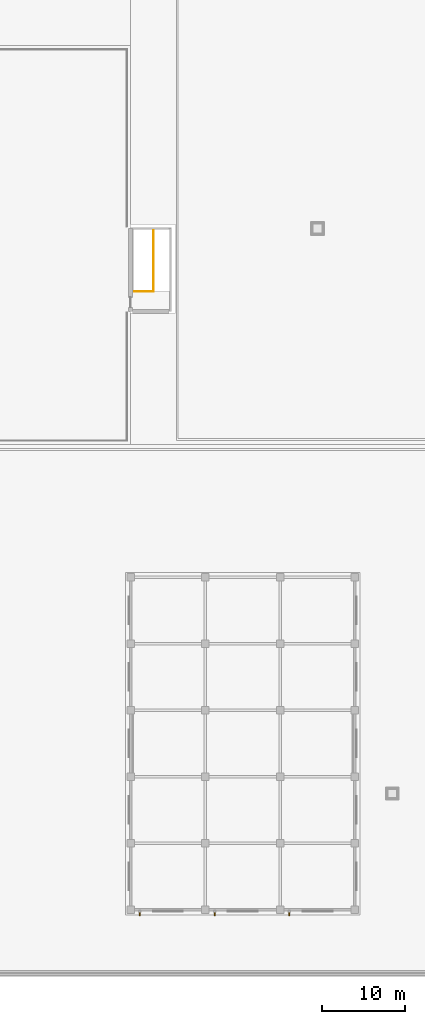
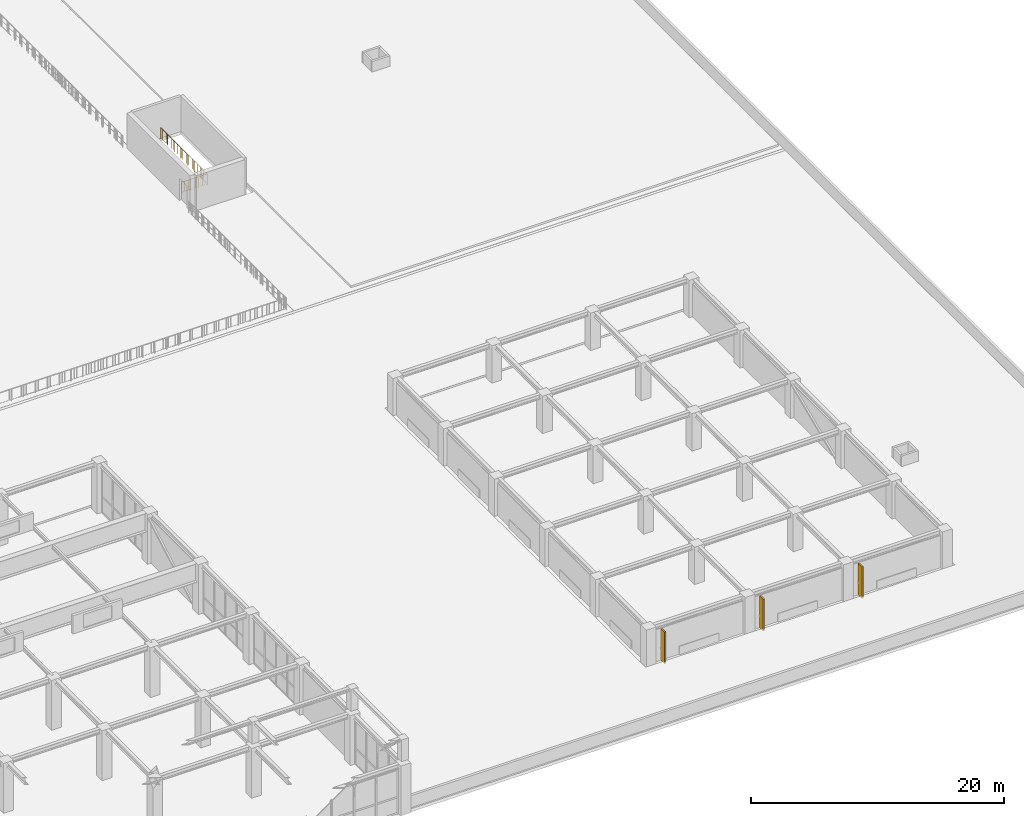
# One storey, part 33 of 34: 3 shading devices, 1 railing.
"""IFC4 building model written with IfcOpenShell, lengths in metres."""

from ifc_helpers import new_model, si_unit, direction, frame, frame_2d, origin, origin_2d, place, context, subcontext, project, spatial, rectangle, circle, extrude, material, layer, layer_set, type_object, element, save


model = new_model("IFC4")

# Units and contexts
model_context = context("Model", 3, precision=1e-05, world=origin(), true_north=direction((0.0, 1.0)))
body_context = subcontext(model_context, "Body", "Model", "MODEL_VIEW")
ifc_project = project(units=[si_unit("LENGTHUNIT", "METRE"), si_unit("AREAUNIT", "SQUARE_METRE"), si_unit("VOLUMEUNIT", "CUBIC_METRE"), si_unit("PLANEANGLEUNIT", "RADIAN"), si_unit("MASSUNIT", "GRAM", prefix="KILO")], contexts=[model_context])

# Site, building, storey
site_placement = place(None, origin())
site = spatial("IfcSite", under=ifc_project, at=site_placement, CompositionType="ELEMENT")
building_placement = place(site_placement, origin())
building = spatial("IfcBuilding", under=site, at=building_placement, Name="Zaverband Oceanarium and Marine Research Institute", CompositionType="ELEMENT")
storey_placement = place(building_placement, frame((0.0, 0.0, 18.0)))
storey = spatial("IfcBuildingStorey", under=building, at=storey_placement, Name="L04", CompositionType="ELEMENT", Elevation=18.0)

# Railing
ifc_material_1 = material(Name="Steel S355", Category="steel")
ifc_layer_1 = layer(ifc_material_1, 0.06005859375, Name="Steel S355")
ifc_layer_set_1 = layer_set([ifc_layer_1], Name="Steel S355")
railing_type = type_object("IfcRailingType", Name="GRD-1100", PredefinedType="BALUSTRADE", material=ifc_layer_set_1)
railing_placement = place(storey_placement, frame((135.429931640625, 82.429931640625, 0.0)))
element("IfcRailing", 1, at=railing_placement, inside=storey, type_object=railing_type, Name="1100 mm steel post-and-baluster safety guard GRD-1100", PredefinedType="BALUSTRADE", context=body_context, shape_type="SweptSolid", body=[
    extrude(circle(Radius=0.02392578125, at=origin_2d()), frame((0.0, 0.0, 1.076171875), z_axis=(1.0, 0.0, 0.0), x_axis=(0.0, 1.0, 0.0)), (0.0, 0.0, 1.0), 2.320068359375),
    extrude(circle(Radius=0.009033203125, at=origin_2d()), frame((0.0, 0.0, 0.10009765625), z_axis=(1.0, 0.0, 0.0), x_axis=(0.0, 1.0, 0.0)), (0.0, 0.0, 1.0), 2.320068359375),
    extrude(circle(Radius=0.009033203125, at=origin_2d()), frame((0.2109375, 0.0, 0.10009765625)), (0.0, 0.0, 1.0), 0.951904296875),
    extrude(circle(Radius=0.009033203125, at=origin_2d()), frame((0.421875, 0.0, 0.10009765625)), (0.0, 0.0, 1.0), 0.951904296875),
    extrude(circle(Radius=0.009033203125, at=origin_2d()), frame((0.6328125, 0.0, 0.10009765625)), (0.0, 0.0, 1.0), 0.951904296875),
    extrude(circle(Radius=0.009033203125, at=origin_2d()), frame((0.84375, 0.0, 0.10009765625)), (0.0, 0.0, 1.0), 0.951904296875),
    extrude(circle(Radius=0.009033203125, at=origin_2d()), frame((1.0546875, 0.0, 0.10009765625)), (0.0, 0.0, 1.0), 0.951904296875),
    extrude(circle(Radius=0.009033203125, at=origin_2d()), frame((1.265380859375, 0.0, 0.10009765625)), (0.0, 0.0, 1.0), 0.951904296875),
    extrude(circle(Radius=0.009033203125, at=origin_2d()), frame((1.476318359375, 0.0, 0.10009765625)), (0.0, 0.0, 1.0), 0.951904296875),
    extrude(circle(Radius=0.009033203125, at=origin_2d()), frame((1.687255859375, 0.0, 0.10009765625)), (0.0, 0.0, 1.0), 0.951904296875),
    extrude(circle(Radius=0.009033203125, at=origin_2d()), frame((1.898193359375, 0.0, 0.10009765625)), (0.0, 0.0, 1.0), 0.951904296875),
    extrude(circle(Radius=0.009033203125, at=origin_2d()), frame((2.109130859375, 0.0, 0.10009765625)), (0.0, 0.0, 1.0), 0.951904296875),
    extrude(circle(Radius=0.02392578125, at=origin_2d()), frame((2.320068359375, 0.0, 1.076171875), z_axis=(0.0, 1.0, 0.0), x_axis=(-1.0, 0.0, 0.0)), (0.0, 0.0, 1.0), 7.340087890625),
    extrude(circle(Radius=0.009033203125, at=origin_2d()), frame((2.320068359375, 0.0, 0.10009765625), z_axis=(0.0, 1.0, 0.0), x_axis=(-1.0, 0.0, 0.0)), (0.0, 0.0, 1.0), 7.340087890625),
    extrude(circle(Radius=0.009033203125, at=origin_2d()), frame((2.320068359375, 0.2158203125, 0.10009765625)), (0.0, 0.0, 1.0), 0.951904296875),
    extrude(circle(Radius=0.009033203125, at=origin_2d()), frame((2.320068359375, 0.431884765625, 0.10009765625)), (0.0, 0.0, 1.0), 0.951904296875),
    extrude(circle(Radius=0.009033203125, at=origin_2d()), frame((2.320068359375, 0.647705078125, 0.10009765625)), (0.0, 0.0, 1.0), 0.951904296875),
    extrude(circle(Radius=0.009033203125, at=origin_2d()), frame((2.320068359375, 0.863525390625, 0.10009765625)), (0.0, 0.0, 1.0), 0.951904296875),
    extrude(circle(Radius=0.009033203125, at=origin_2d()), frame((2.320068359375, 1.079345703125, 0.10009765625)), (0.0, 0.0, 1.0), 0.951904296875),
    extrude(circle(Radius=0.009033203125, at=origin_2d()), frame((2.320068359375, 1.29541015625, 0.10009765625)), (0.0, 0.0, 1.0), 0.951904296875),
    extrude(circle(Radius=0.009033203125, at=origin_2d()), frame((2.320068359375, 1.51123046875, 0.10009765625)), (0.0, 0.0, 1.0), 0.951904296875),
    extrude(circle(Radius=0.009033203125, at=origin_2d()), frame((2.320068359375, 1.72705078125, 0.10009765625)), (0.0, 0.0, 1.0), 0.951904296875),
    extrude(circle(Radius=0.009033203125, at=origin_2d()), frame((2.320068359375, 1.94287109375, 0.10009765625)), (0.0, 0.0, 1.0), 0.951904296875),
    extrude(circle(Radius=0.009033203125, at=origin_2d()), frame((2.320068359375, 2.158935546875, 0.10009765625)), (0.0, 0.0, 1.0), 0.951904296875),
    extrude(circle(Radius=0.009033203125, at=origin_2d()), frame((2.320068359375, 2.374755859375, 0.10009765625)), (0.0, 0.0, 1.0), 0.951904296875),
    extrude(circle(Radius=0.009033203125, at=origin_2d()), frame((2.320068359375, 2.590576171875, 0.10009765625)), (0.0, 0.0, 1.0), 0.951904296875),
    extrude(circle(Radius=0.009033203125, at=origin_2d()), frame((2.320068359375, 2.806396484375, 0.10009765625)), (0.0, 0.0, 1.0), 0.951904296875),
    extrude(circle(Radius=0.009033203125, at=origin_2d()), frame((2.320068359375, 3.0224609375, 0.10009765625)), (0.0, 0.0, 1.0), 0.951904296875),
    extrude(circle(Radius=0.009033203125, at=origin_2d()), frame((2.320068359375, 3.23828125, 0.10009765625)), (0.0, 0.0, 1.0), 0.951904296875),
    extrude(circle(Radius=0.009033203125, at=origin_2d()), frame((2.320068359375, 3.4541015625, 0.10009765625)), (0.0, 0.0, 1.0), 0.951904296875),
    extrude(circle(Radius=0.009033203125, at=origin_2d()), frame((2.320068359375, 3.669921875, 0.10009765625)), (0.0, 0.0, 1.0), 0.951904296875),
    extrude(circle(Radius=0.009033203125, at=origin_2d()), frame((2.320068359375, 3.885986328125, 0.10009765625)), (0.0, 0.0, 1.0), 0.951904296875),
    extrude(circle(Radius=0.009033203125, at=origin_2d()), frame((2.320068359375, 4.101806640625, 0.10009765625)), (0.0, 0.0, 1.0), 0.951904296875),
    extrude(circle(Radius=0.009033203125, at=origin_2d()), frame((2.320068359375, 4.317626953125, 0.10009765625)), (0.0, 0.0, 1.0), 0.951904296875),
    extrude(circle(Radius=0.009033203125, at=origin_2d()), frame((2.320068359375, 4.53369140625, 0.10009765625)), (0.0, 0.0, 1.0), 0.951904296875),
    extrude(circle(Radius=0.009033203125, at=origin_2d()), frame((2.320068359375, 4.74951171875, 0.10009765625)), (0.0, 0.0, 1.0), 0.951904296875),
    extrude(circle(Radius=0.009033203125, at=origin_2d()), frame((2.320068359375, 4.96533203125, 0.10009765625)), (0.0, 0.0, 1.0), 0.951904296875),
    extrude(circle(Radius=0.009033203125, at=origin_2d()), frame((2.320068359375, 5.18115234375, 0.10009765625)), (0.0, 0.0, 1.0), 0.951904296875),
    extrude(circle(Radius=0.009033203125, at=origin_2d()), frame((2.320068359375, 5.397216796875, 0.10009765625)), (0.0, 0.0, 1.0), 0.951904296875),
    extrude(circle(Radius=0.009033203125, at=origin_2d()), frame((2.320068359375, 5.613037109375, 0.10009765625)), (0.0, 0.0, 1.0), 0.951904296875),
    extrude(circle(Radius=0.009033203125, at=origin_2d()), frame((2.320068359375, 5.828857421875, 0.10009765625)), (0.0, 0.0, 1.0), 0.951904296875),
    extrude(circle(Radius=0.009033203125, at=origin_2d()), frame((2.320068359375, 6.044677734375, 0.10009765625)), (0.0, 0.0, 1.0), 0.951904296875),
    extrude(circle(Radius=0.009033203125, at=origin_2d()), frame((2.320068359375, 6.2607421875, 0.10009765625)), (0.0, 0.0, 1.0), 0.951904296875),
    extrude(circle(Radius=0.009033203125, at=origin_2d()), frame((2.320068359375, 6.4765625, 0.10009765625)), (0.0, 0.0, 1.0), 0.951904296875),
    extrude(circle(Radius=0.009033203125, at=origin_2d()), frame((2.320068359375, 6.6923828125, 0.10009765625)), (0.0, 0.0, 1.0), 0.951904296875),
    extrude(circle(Radius=0.009033203125, at=origin_2d()), frame((2.320068359375, 6.908203125, 0.10009765625)), (0.0, 0.0, 1.0), 0.951904296875),
    extrude(circle(Radius=0.009033203125, at=origin_2d()), frame((2.320068359375, 7.124267578125, 0.10009765625)), (0.0, 0.0, 1.0), 0.951904296875),
    extrude(circle(Radius=0.02099609375, at=origin_2d()), origin(), (0.0, 0.0, 1.0), 1.052001953125),
    extrude(circle(Radius=0.02099609375, at=origin_2d()), frame((0.7734375, 0.0, 0.0)), (0.0, 0.0, 1.0), 1.052001953125),
    extrude(circle(Radius=0.02099609375, at=origin_2d()), frame((1.546630859375, 0.0, 0.0)), (0.0, 0.0, 1.0), 1.052001953125),
    extrude(circle(Radius=0.02099609375, at=origin_2d()), frame((2.320068359375, 0.0, 0.0)), (0.0, 0.0, 1.0), 1.052001953125),
    extrude(circle(Radius=0.02099609375, at=origin_2d()), frame((2.320068359375, 1.048583984375, 0.0)), (0.0, 0.0, 1.0), 1.052001953125),
    extrude(circle(Radius=0.02099609375, at=origin_2d()), frame((2.320068359375, 2.09716796875, 0.0)), (0.0, 0.0, 1.0), 1.052001953125),
    extrude(circle(Radius=0.02099609375, at=origin_2d()), frame((2.320068359375, 3.145751953125, 0.0)), (0.0, 0.0, 1.0), 1.052001953125),
    extrude(circle(Radius=0.02099609375, at=origin_2d()), frame((2.320068359375, 4.1943359375, 0.0)), (0.0, 0.0, 1.0), 1.052001953125),
    extrude(circle(Radius=0.02099609375, at=origin_2d()), frame((2.320068359375, 5.242919921875, 0.0)), (0.0, 0.0, 1.0), 1.052001953125),
    extrude(circle(Radius=0.02099609375, at=origin_2d()), frame((2.320068359375, 6.29150390625, 0.0)), (0.0, 0.0, 1.0), 1.052001953125),
    extrude(circle(Radius=0.02099609375, at=origin_2d()), frame((2.320068359375, 7.340087890625, 0.0)), (0.0, 0.0, 1.0), 1.052001953125),
])

# Shading devices
ifc_material_2 = material(Name="Concrete C40/50 precast brise-soleil", Category="concrete")
ifc_layer_2 = layer(ifc_material_2, 0.139892578125, Name="Concrete C40/50 precast brise-soleil")
ifc_layer_set_2 = layer_set([ifc_layer_2], Name="Concrete C40/50 precast brise-soleil")
shading_device_type = type_object("IfcShadingDeviceType", Name="SHD-FIN-600", PredefinedType="JALOUSIE", material=ifc_layer_set_2)
for number, where, z_axis, x_axis, name in (
    (2, (136.110107421875, 7.864990234375, 0.0), (0.0, 0.0, 1.0), (0.0, -1.0, 0.0), "600 mm vertical precast brise-soleil fin SHD-FIN-600"),
    (3, (145.110107421875, 7.864990234375, 0.0), (0.0, 0.0, 1.0), (0.0, -1.0, 0.0), "600 mm vertical precast brise-soleil fin SHD-FIN-600"),
    (4, (154.110107421875, 7.864990234375, 0.0), (0.0, 0.0, 1.0), (0.0, -1.0, 0.0), "600 mm vertical precast brise-soleil fin SHD-FIN-600"),
):
    element("IfcShadingDevice", number, at=place(storey_placement, frame(where, z_axis=z_axis, x_axis=x_axis)), inside=storey, type_object=shading_device_type, Name=name, PredefinedType="JALOUSIE", context=body_context, shape_type="SweptSolid", body=[
        extrude(rectangle(XDim=0.60009765625, YDim=0.139892578125, at=frame_2d((0.300048828125, 0.0))), origin(), (0.0, 0.0, 1.0), 3.050048828125),
    ])

save(model, "model.ifc")
